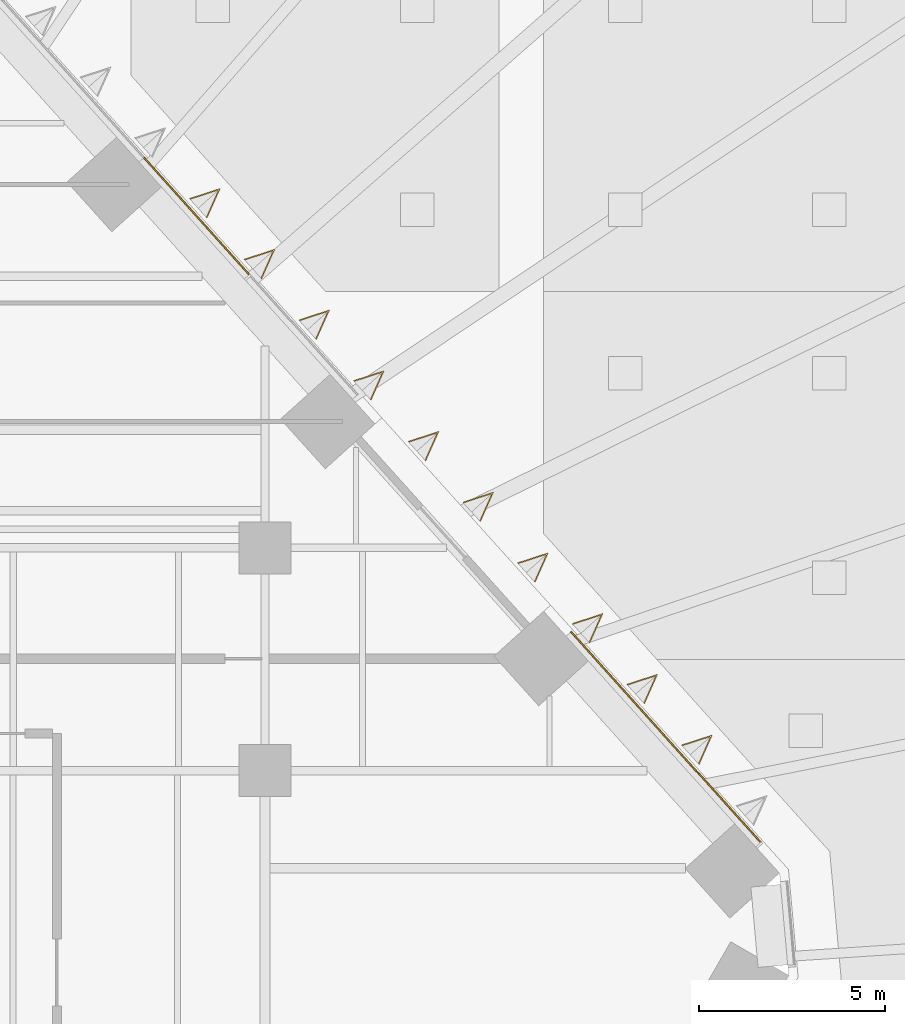
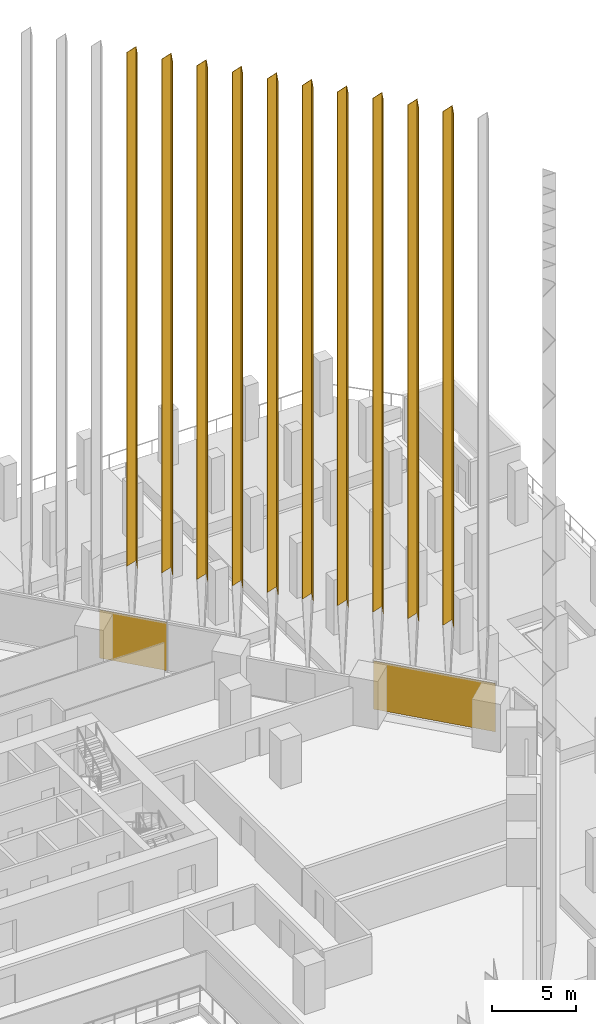
# One storey, part 42 of 51: 12 coverings, 1 element without a shape of its own.
"""IFC4 building model written with IfcOpenShell, lengths in metres."""

from ifc_helpers import new_model, si_unit, direction, frame, origin, origin_2d, place, context, subcontext, project, spatial, polyline, rectangle, outline, extrude, material, layer, layer_set, material_profile, profile_set, type_object, element, aggregate, save


model = new_model("IFC4")

# Units and contexts
model_context = context("Model", 3, precision=1e-05, world=origin(), true_north=direction((0.0, 1.0)))
body_context = subcontext(model_context, "Body", "Model", "MODEL_VIEW")
ifc_project = project(units=[si_unit("LENGTHUNIT", "METRE"), si_unit("AREAUNIT", "SQUARE_METRE"), si_unit("VOLUMEUNIT", "CUBIC_METRE"), si_unit("PLANEANGLEUNIT", "RADIAN"), si_unit("MASSUNIT", "GRAM", prefix="KILO")], contexts=[model_context])

# Site, building, storey
site_placement = place(None, origin())
site = spatial("IfcSite", under=ifc_project, at=site_placement, CompositionType="ELEMENT")
building_placement = place(site_placement, origin())
building = spatial("IfcBuilding", under=site, at=building_placement, Name="Isthmus Gate Tower", CompositionType="ELEMENT")
storey_placement = place(building_placement, frame((0.0, 0.0, 36.0)))
storey = spatial("IfcBuildingStorey", under=building, at=storey_placement, Name="L06", CompositionType="ELEMENT", Elevation=36.0)

# Curtain wall, coverings
ifc_material_1 = material(Name="Aluminium, pale champagne anodised", Category="aluminium")
ifc_layer_1 = layer(ifc_material_1, 0.199951171875)
ifc_layer_set_1 = layer_set([ifc_layer_1], Name="CW-1 UNITISED CURTAIN WALL 200 DEEP")
curtain_wall_type = type_object("IfcCurtainWallType", Name="CW-1 UNITISED CURTAIN WALL 200 DEEP", PredefinedType="NOTDEFINED", material=ifc_layer_set_1)
curtain_wall_placement = place(storey_placement, origin())
curtain_wall = element("IfcCurtainWall", 1, at=curtain_wall_placement, inside=storey, type_object=curtain_wall_type, Name="CW-1 NE L06", PredefinedType="NOTDEFINED")
ifc_material_2 = material(Name="Aluminium composite panel, pale champagne anodised", Category="aluminium")
ifc_layer_2 = layer(ifc_material_2, 0.0400390625)
ifc_layer_set_2 = layer_set([ifc_layer_2], Name="CW-1 PALE METAL PANEL 40")
covering_type_1 = type_object("IfcCoveringType", Name="CW-1 PALE METAL PANEL 40", PredefinedType="CLADDING", material=ifc_layer_set_2)
covering_1_placement = place(storey_placement, frame((34.79345703125, 8.405029296875, 0.0), z_axis=(0.0, 0.0, 1.0), x_axis=(-0.669130606359, 0.743144825477, 0.0)))
covering_1 = element("IfcCovering", 2, at=covering_1_placement, type_object=covering_type_1, Name="CW-1 pale metal panel", PredefinedType="CLADDING", context=body_context, shape_type="SweptSolid", body=[
    extrude(rectangle(XDim=7.62939453125, YDim=0.0400390625, at=origin_2d()), origin(), (0.0, 0.0, 1.0), 3.5),
])
covering_2_placement = place(storey_placement, frame((22.1630859375, 22.4326171875, 0.0), z_axis=(0.0, 0.0, 1.0), x_axis=(-0.669130606359, 0.743144825477, 0.0)))
covering_2 = element("IfcCovering", 3, at=covering_2_placement, type_object=covering_type_1, Name="CW-1 pale metal panel", PredefinedType="CLADDING", context=body_context, shape_type="SweptSolid", body=[
    extrude(rectangle(XDim=4.234619140625, YDim=0.0400390625, at=origin_2d()), origin(), (0.0, 0.0, 1.0), 3.5),
])
aggregate(curtain_wall, [covering_1, covering_2])

# Coverings
ifc_material_3 = material(Name="Structural steel ASTM A572 Gr 50, white paint system", Category="steel")
ifc_material_profile = material_profile(ifc_material_3, outline(polyline([(0.0, -0.356201171875), (0.800048828125, 0.0), (0.0, 0.356201171875), (0.0, 0.3232421875), (0.726318359375, 0.0), (0.0, -0.3232421875), (0.0, -0.356201171875)])), Name="V800")
ifc_profile_set = profile_set([ifc_material_profile], Name="Structural steel ASTM A572 Gr 50, white paint system")
covering_type_2 = type_object("IfcCoveringType", Name="FIN V 800 DEEP", PredefinedType="CLADDING", material=ifc_profile_set)
for number, where, z_axis, x_axis, name in (
    (4, (35.45263671875, 7.92724609375, 6.89990234375), (0.0, 0.0, 1.0), (0.743144825477, 0.669130606359, 0.0), "FIN"),
    (5, (33.98046875, 9.562255859375, 6.89990234375), (0.0, 0.0, 1.0), (0.743144825477, 0.669130606359, 0.0), "FIN"),
    (6, (32.50830078125, 11.197021484375, 6.89990234375), (0.0, 0.0, 1.0), (0.743144825477, 0.669130606359, 0.0), "FIN"),
    (7, (31.0361328125, 12.83203125, 6.89990234375), (0.0, 0.0, 1.0), (0.743144825477, 0.669130606359, 0.0), "FIN"),
    (8, (29.564208984375, 14.467041015625, 6.89990234375), (0.0, 0.0, 1.0), (0.743144825477, 0.669130606359, 0.0), "FIN"),
    (9, (28.092041015625, 16.101806640625, 6.89990234375), (0.0, 0.0, 1.0), (0.743144825477, 0.669130606359, 0.0), "FIN"),
    (10, (26.619873046875, 17.73681640625, 6.89990234375), (0.0, 0.0, 1.0), (0.743144825477, 0.669130606359, 0.0), "FIN"),
    (11, (25.14794921875, 19.37158203125, 6.89990234375), (0.0, 0.0, 1.0), (0.743144825477, 0.669130606359, 0.0), "FIN"),
    (12, (23.67578125, 21.006591796875, 6.89990234375), (0.0, 0.0, 1.0), (0.743144825477, 0.669130606359, 0.0), "FIN"),
    (13, (22.20361328125, 22.6416015625, 6.89990234375), (0.0, 0.0, 1.0), (0.743144825477, 0.669130606359, 0.0), "FIN"),
):
    element("IfcCovering", number, at=place(storey_placement, frame(where, z_axis=z_axis, x_axis=x_axis)), inside=storey, type_object=covering_type_2, Name=name, ObjectType="FIN", PredefinedType="CLADDING", context=body_context, shape_type="SweptSolid", body=[
        extrude(outline(polyline([(0.0, -0.356201171875), (0.800048828125, 0.0), (0.0, 0.356201171875), (0.0, 0.3232421875), (0.726318359375, 0.0), (0.0, -0.3232421875), (0.0, -0.356201171875)])), origin(), (0.0, 0.0, 1.0), 37.35009765625),
    ])

save(model, "model.ifc")
